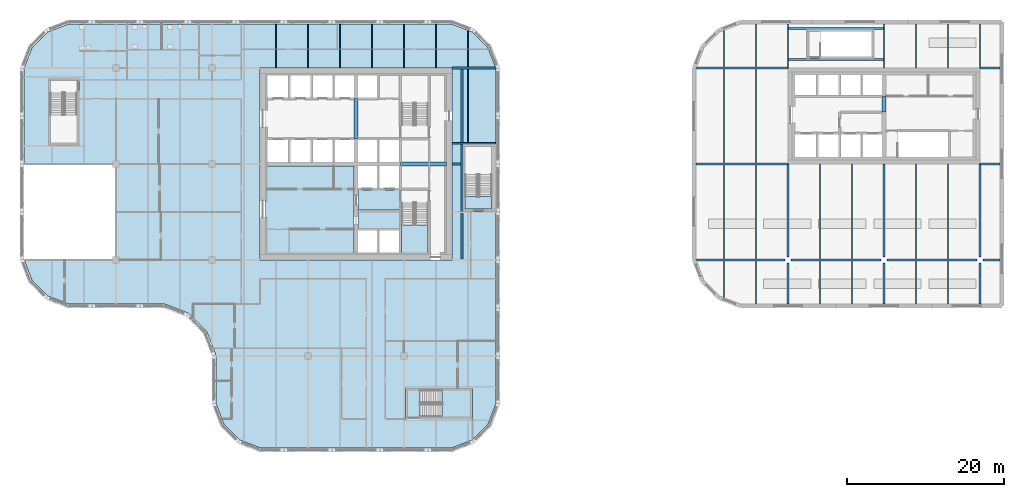
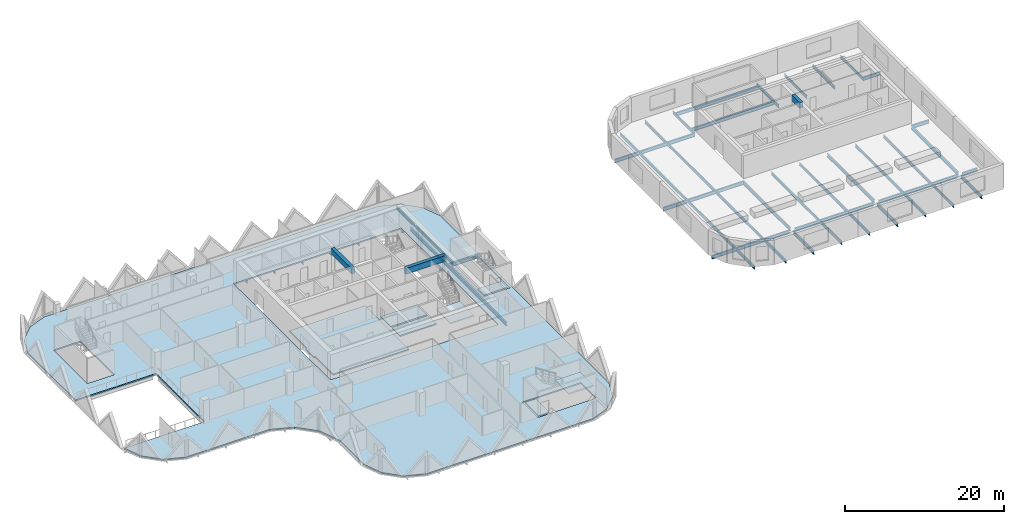
# One storey, part 2 of 17: 52 beams, 8 slabs, 2 elements without a shape of their own.
"""IFC4 building model written with IfcOpenShell, lengths in metres."""

import ifcopenshell
import ifcopenshell.guid

model = None  # the IFC model being written
_history = None  # IfcOwnerHistory: only IFC2X3 demands one
_inside = {}  # id of a spatial element -> (the spatial element, [elements in it])
_under = {}  # id of a project, library or spatial element -> (it, [spatial elements below it])
_declared = {}  # id of a project -> (the project, [libraries it declares])
_typed = {}  # id of a type object -> (the type object, [elements of that type])
_made_of = {}  # id of a material, layer set ... -> (it, [elements and type objects made of it])


def new_model(schema):
    """Start an empty IFC model of exactly this schema.

    Asked for "IFC4X3", IfcOpenShell would pick the latest addendum, in which some entities
    have other attributes; the version numbers below select the first issue.
    IFC2X3 requires an IfcOwnerHistory on every rooted entity: one is made here for all.
    """
    global model, _history
    if schema == "IFC4X3":
        model = ifcopenshell.file(schema_version=(4, 3, 0, 0))
    else:
        model = ifcopenshell.file(schema=schema)
    _inside.clear()
    _under.clear()
    _declared.clear()
    _typed.clear()
    _made_of.clear()
    _history = None
    if model.schema == "IFC2X3":
        org = make("IfcOrganization", Name="unknown")
        user = make(
            "IfcPersonAndOrganization",
            ThePerson=make("IfcPerson", FamilyName="unknown"),
            TheOrganization=org,
        )
        app = make(
            "IfcApplication",
            ApplicationDeveloper=org,
            Version="unknown",
            ApplicationFullName="unknown",
            ApplicationIdentifier="unknown",
        )
        _history = make(
            "IfcOwnerHistory",
            OwningUser=user,
            OwningApplication=app,
            ChangeAction="ADDED",
            CreationDate=0,
        )
    return model


def make(cls, **values):
    """One entity of the class cls with the attributes given. An attribute that is None is left unset."""
    return model.create_entity(
        cls, **{name: value for name, value in values.items() if value is not None}
    )


def rooted(cls, **values):
    """An entity with a GlobalId (a new one), such as an element, a storey or a relation."""
    return make(cls, GlobalId=ifcopenshell.guid.new(), OwnerHistory=_history, **values)


def si_unit(unit_type, name, prefix=None):
    """IfcSIUnit, for example si_unit("LENGTHUNIT", "METRE", prefix="MILLI")."""
    return make("IfcSIUnit", UnitType=unit_type, Prefix=prefix, Name=name)


def assignment(units):
    """IfcUnitAssignment: the units of a project."""
    return None if units is None else make("IfcUnitAssignment", Units=units)


def point(xyz):
    """IfcCartesianPoint."""
    return None if xyz is None else make("IfcCartesianPoint", Coordinates=xyz)


def direction(xyz):
    """IfcDirection."""
    return None if xyz is None else make("IfcDirection", DirectionRatios=xyz)


def frame(location, z_axis=None, x_axis=None):
    """IfcAxis2Placement3D, a coordinate frame: its origin and axes. An axis left out is left unset."""
    return make(
        "IfcAxis2Placement3D",
        Location=point(location),
        Axis=direction(z_axis),
        RefDirection=direction(x_axis),
    )


def frame_2d(location, x_axis=None):
    """IfcAxis2Placement2D, a coordinate frame in the plane: its origin and x axis."""
    return make(
        "IfcAxis2Placement2D", Location=point(location), RefDirection=direction(x_axis)
    )


def origin():
    """The frame at (0, 0, 0) with its axes left unset."""
    return frame((0.0, 0.0, 0.0))


def origin_2d():
    """The frame at (0, 0) in the plane with its x axis left unset."""
    return frame_2d((0.0, 0.0))


def place(relative_to, where):
    """IfcLocalPlacement: puts the frame where relative to a parent placement (None: the world)."""
    return make(
        "IfcLocalPlacement", PlacementRelTo=relative_to, RelativePlacement=where
    )


def context(
    kind, dimensions, precision=None, world=None, true_north=None, identifier=None
):
    """IfcGeometricRepresentationContext, for example the 3D "Model" context."""
    return make(
        "IfcGeometricRepresentationContext",
        ContextIdentifier=identifier,
        ContextType=kind,
        CoordinateSpaceDimension=dimensions,
        Precision=precision,
        WorldCoordinateSystem=world,
        TrueNorth=true_north,
    )


def subcontext(parent, identifier, kind, view, scale=None):
    """IfcGeometricRepresentationSubContext, for example "Body" below "Model"."""
    return make(
        "IfcGeometricRepresentationSubContext",
        ContextIdentifier=identifier,
        ContextType=kind,
        ParentContext=parent,
        TargetScale=scale,
        TargetView=view,
    )


def project(units=None, contexts=None):
    """IfcProject with its units and contexts."""
    return rooted(
        "IfcProject",
        Name="project",
        RepresentationContexts=contexts,
        UnitsInContext=assignment(units),
    )


def spatial(cls, under=None, at=None, **own):
    """A site, building, storey or space (cls), placed at a placement, below another one or the project."""
    s = rooted(cls, ObjectPlacement=at, **own)
    if under is not None:
        _under.setdefault(under.id(), (under, []))[1].append(s)
    return s


def polyline(points):
    """IfcPolyline through the points."""
    return make("IfcPolyline", Points=[point(p) for p in points])


def profile(cls, at=None, kind="AREA", **sizes):
    """A parametric profile (cls). Its sizes go by their IFC names, for example OverallWidth=200.0."""
    return make(cls, ProfileType=kind, Position=at, **sizes)


def rectangle(**sizes):
    """IfcRectangleProfileDef."""
    return profile("IfcRectangleProfileDef", **sizes)


def i_section(**sizes):
    """IfcIShapeProfileDef."""
    return profile("IfcIShapeProfileDef", **sizes)


def outline(outer, holes=None, kind="AREA"):
    """IfcArbitraryClosedProfileDef: a profile drawn as a closed curve; with holes, ...WithVoids."""
    if holes is None:
        return make("IfcArbitraryClosedProfileDef", ProfileType=kind, OuterCurve=outer)
    return make(
        "IfcArbitraryProfileDefWithVoids",
        ProfileType=kind,
        OuterCurve=outer,
        InnerCurves=holes,
    )


def extrude(swept, where, along, depth):
    """IfcExtrudedAreaSolid: the profile swept, set in the frame where, extruded along a direction by depth."""
    return make(
        "IfcExtrudedAreaSolid",
        SweptArea=swept,
        Position=where,
        ExtrudedDirection=direction(along),
        Depth=depth,
    )


def shape(context_of_items, identifier, shape_type, items):
    """IfcShapeRepresentation: the items that make up one representation, for example the "Body"."""
    return make(
        "IfcShapeRepresentation",
        ContextOfItems=context_of_items,
        RepresentationIdentifier=identifier,
        RepresentationType=shape_type,
        Items=items,
    )


def material(Name=None, Category=None):
    """IfcMaterial."""
    return make("IfcMaterial", Name=Name, Category=Category)


def layer(
    of_material, thickness, ventilated=None, Name=None, Category=None, Priority=None
):
    """IfcMaterialLayer: one layer of a wall or slab, of a material (None: an air gap)."""
    return make(
        "IfcMaterialLayer",
        Material=of_material,
        LayerThickness=thickness,
        IsVentilated=ventilated,
        Name=Name,
        Category=Category,
        Priority=Priority,
    )


def layer_set(layers, Name=None):
    """IfcMaterialLayerSet."""
    return make("IfcMaterialLayerSet", MaterialLayers=layers, LayerSetName=Name)


def material_profile(
    of_material, cross_section, Name=None, Category=None, Priority=None
):
    """IfcMaterialProfile: a cross section and its material."""
    return make(
        "IfcMaterialProfile",
        Name=Name,
        Material=of_material,
        Profile=cross_section,
        Priority=Priority,
        Category=Category,
    )


def profile_set(profiles, Name=None, composite=None):
    """IfcMaterialProfileSet."""
    return make(
        "IfcMaterialProfileSet",
        Name=Name,
        MaterialProfiles=profiles,
        CompositeProfile=composite,
    )


def made_of(thing, what):
    """Note that an element or type object is made of a material, layer set ...; save() writes the relation."""
    if what is not None:
        _made_of.setdefault(what.id(), (what, []))[1].append(thing)
    return thing


def type_object(cls, material=None, **own):
    """A type object (cls), such as IfcWallType, which elements share."""
    return made_of(rooted(cls, **own), material)


def element(
    cls,
    number,
    at=None,
    inside=None,
    cuts=None,
    type_object=None,
    material=None,
    context=None,
    identifier="Body",
    shape_type=None,
    held_by="IfcProductDefinitionShape",
    body=None,
    shapes=None,
    **own,
):
    """One element of the class cls, such as IfcWall. Its Tag is "e" and its number.

    at: its placement. inside: the storey or other place that contains it. cuts: it is an
    opening in that element (IfcRelVoidsElement). A single representation is given by context,
    identifier, shape_type and body (its items); several are given by shapes. held_by: the class
    of the entity that holds the representations. save() writes the other relations.
    """
    e = rooted(cls, Tag="e%d" % number, ObjectPlacement=at, **own)
    if body is not None:
        shapes = [shape(context, identifier, shape_type, body)]
    if shapes is not None:
        e.Representation = make(held_by, Representations=shapes)
    if inside is not None:
        _inside.setdefault(inside.id(), (inside, []))[1].append(e)
    if cuts is not None:
        rooted(
            "IfcRelVoidsElement", RelatingBuildingElement=cuts, RelatedOpeningElement=e
        )
    if type_object is not None:
        _typed.setdefault(type_object.id(), (type_object, []))[1].append(e)
    return made_of(e, material)


def aggregate(whole, parts):
    """IfcRelAggregates: a whole, such as a stair, and the parts it consists of."""
    return rooted("IfcRelAggregates", RelatingObject=whole, RelatedObjects=parts)


def save(model, path):
    """Write the relations noted so far, then the file.

    IfcRelAggregates (storeys below a building ...), IfcRelContainedInSpatialStructure (elements
    in a storey), IfcRelDefinesByType, IfcRelAssociatesMaterial and IfcRelDeclares: one each for
    every whole, place, type object, material and project.
    """
    for whole, parts in _under.values():
        aggregate(whole, parts)
    for where, things in _inside.values():
        rooted(
            "IfcRelContainedInSpatialStructure",
            RelatedElements=things,
            RelatingStructure=where,
        )
    for kind, things in _typed.values():
        rooted("IfcRelDefinesByType", RelatedObjects=things, RelatingType=kind)
    for what, things in _made_of.values():
        rooted("IfcRelAssociatesMaterial", RelatedObjects=things, RelatingMaterial=what)
    for by, libraries in _declared.values():
        rooted("IfcRelDeclares", RelatingContext=by, RelatedDefinitions=libraries)
    model.write(path)


model = new_model("IFC4")

# Units and contexts
model_context = context("Model", 3, precision=1e-05, world=origin(), true_north=direction((0.0, 1.0)))
body_context = subcontext(model_context, "Body", "Model", "MODEL_VIEW")
ifc_project = project(units=[si_unit("LENGTHUNIT", "METRE"), si_unit("AREAUNIT", "SQUARE_METRE"), si_unit("VOLUMEUNIT", "CUBIC_METRE"), si_unit("PLANEANGLEUNIT", "RADIAN"), si_unit("MASSUNIT", "GRAM", prefix="KILO")], contexts=[model_context])

# Site, building, storey
site_placement = place(None, origin())
site = spatial("IfcSite", under=ifc_project, at=site_placement, CompositionType="ELEMENT")
building_placement = place(site_placement, origin())
building = spatial("IfcBuilding", under=site, at=building_placement, Name="Tessera Gate Towers", CompositionType="ELEMENT")
storey_placement = place(building_placement, frame((0.0, 0.0, 112.60009765625)))
storey = spatial("IfcBuildingStorey", under=building, at=storey_placement, Name="L27", CompositionType="ELEMENT", Elevation=112.60009765625)

# Beams
ifc_material_1 = material(Name="Concrete C50/60", Category="concrete")
ifc_material_profile_1 = material_profile(ifc_material_1, rectangle(XDim=0.5, YDim=0.89990234375, at=origin_2d()), Name="RC 500x900")
ifc_profile_set_1 = profile_set([ifc_material_profile_1], Name="Concrete C50/60")
beam_type_1 = type_object("IfcBeamType", Name="COUPLING BEAM 500x900 C50/60", PredefinedType="BEAM", material=ifc_profile_set_1)
beam_1_placement = place(storey_placement, frame((109.800048828125, 43.199951171875, 3.0498046875), z_axis=(0.0, 1.0, 0.0), x_axis=(-1.0, 0.0, 0.0)))
element("IfcBeam", 1, at=beam_1_placement, inside=storey, type_object=beam_type_1, Name="L27 coupling beam 1", PredefinedType="BEAM", context=body_context, shape_type="SweptSolid", body=[
    extrude(rectangle(XDim=0.5, YDim=0.89990234375, at=origin_2d()), origin(), (0.0, 0.0, 1.0), 2.0),
])
ifc_material_2 = material(Name="Concrete C60/75", Category="concrete")
ifc_material_profile_2 = material_profile(ifc_material_2, rectangle(XDim=0.5, YDim=0.89990234375, at=origin_2d()), Name="RC 500x900")
ifc_profile_set_2 = profile_set([ifc_material_profile_2], Name="Concrete C60/75")
beam_type_2 = type_object("IfcBeamType", Name="COUPLING BEAM 500x900 C60/75", PredefinedType="BEAM", material=ifc_profile_set_2)
beam_2_placement = place(storey_placement, frame((48.35009765625, 36.60009765625, 3.14990234375), z_axis=(1.0, 0.0, 0.0), x_axis=(0.0, 1.0, 0.0)))
element("IfcBeam", 2, at=beam_2_placement, inside=storey, type_object=beam_type_2, Name="L27 coupling beam 1", PredefinedType="BEAM", context=body_context, shape_type="SweptSolid", body=[
    extrude(rectangle(XDim=0.5, YDim=0.89990234375, at=origin_2d()), origin(), (0.0, 0.0, 1.0), 5.849853515625),
])
beam_3_placement = place(storey_placement, frame((42.699951171875, 39.800048828125, 3.14990234375), z_axis=(0.0, 1.0, 0.0), x_axis=(-1.0, 0.0, 0.0)))
element("IfcBeam", 3, at=beam_3_placement, inside=storey, type_object=beam_type_2, Name="L27 coupling beam 2", PredefinedType="BEAM", context=body_context, shape_type="SweptSolid", body=[
    extrude(rectangle(XDim=0.5, YDim=0.89990234375, at=origin_2d()), origin(), (0.0, 0.0, 1.0), 5.099853515625),
])
ifc_material_3 = material(Name="Steel 350W", Category="steel")
ifc_material_profile_3 = material_profile(ifc_material_3, i_section(OverallWidth=0.208984375, OverallDepth=0.532958984375, WebThickness=0.01025390625, FlangeThickness=0.015625, at=origin_2d()), Name="W530x92")
ifc_profile_set_3 = profile_set([ifc_material_profile_3], Name="Steel 350W")
beam_type_3 = type_object("IfcBeamType", Name="FLOOR GIRDER W530x92", PredefinedType="BEAM", material=ifc_profile_set_3)
beam_4_placement = place(storey_placement, frame((54.89892578125, 36.60009765625, -0.466552734375), z_axis=(1.0, 0.0, 0.0), x_axis=(0.0, 1.0, 0.0)))
element("IfcBeam", 4, at=beam_4_placement, inside=storey, type_object=beam_type_3, Name="T1-GD-L27-3529", PredefinedType="BEAM", context=body_context, shape_type="SweptSolid", body=[
    extrude(i_section(OverallWidth=0.208984375, OverallDepth=0.532958984375, WebThickness=0.01025390625, FlangeThickness=0.015625, at=origin_2d()), origin(), (0.0, 0.0, 1.0), 1.176513671875),
])
beam_5_placement = place(storey_placement, frame((54.90087890625, 48.800048828125, -0.466552734375), z_axis=(1.0, 0.0, 0.0), x_axis=(0.0, 1.0, 0.0)))
element("IfcBeam", 5, at=beam_5_placement, inside=storey, type_object=beam_type_3, Name="T1-GD-L27-3533", PredefinedType="BEAM", context=body_context, shape_type="SweptSolid", body=[
    extrude(i_section(OverallWidth=0.208984375, OverallDepth=0.532958984375, WebThickness=0.01025390625, FlangeThickness=0.015625, at=origin_2d()), origin(), (0.0, 0.0, 1.0), 5.564208984375),
])
beam_6_placement = place(storey_placement, frame((54.89892578125, 39.219970703125, -0.466552734375), z_axis=(1.0, 0.0, 0.0), x_axis=(0.0, 1.0, 0.0)))
element("IfcBeam", 6, at=beam_6_placement, inside=storey, type_object=beam_type_3, Name="T1-GD-L27-3551", PredefinedType="BEAM", context=body_context, shape_type="SweptSolid", body=[
    extrude(i_section(OverallWidth=0.208984375, OverallDepth=0.532958984375, WebThickness=0.01025390625, FlangeThickness=0.015625, at=origin_2d()), origin(), (0.0, 0.0, 1.0), 5.60205078125),
])
beam_7_placement = place(storey_placement, frame((56.179931640625, 24.50439453125, -0.466552734375), z_axis=(0.0, 1.0, 0.0), x_axis=(-1.0, 0.0, 0.0)))
element("IfcBeam", 7, at=beam_7_placement, inside=storey, type_object=beam_type_3, Name="T1-GD-L27-3552", PredefinedType="BEAM", context=body_context, shape_type="SweptSolid", body=[
    extrude(i_section(OverallWidth=0.208984375, OverallDepth=0.532958984375, WebThickness=0.01025390625, FlangeThickness=0.015625, at=origin_2d()), origin(), (0.0, 0.0, 1.0), 24.191162109375),
])
beam_8_placement = place(storey_placement, frame((85.934814453125, 24.39990234375, -0.566650390625), z_axis=(1.0, 0.0, 0.0), x_axis=(0.0, 1.0, 0.0)))
element("IfcBeam", 8, at=beam_8_placement, inside=storey, type_object=beam_type_3, Name="T2-R-GD-L27-3593", PredefinedType="BEAM", context=body_context, shape_type="SweptSolid", body=[
    extrude(i_section(OverallWidth=0.208984375, OverallDepth=0.532958984375, WebThickness=0.01025390625, FlangeThickness=0.015625, at=origin_2d()), origin(), (0.0, 0.0, 1.0), 11.315185546875),
])
for number, where, z_axis, x_axis, name in (
    (9, (97.949951171875, 24.39990234375, -0.566650390625), (1.0, 0.0, 0.0), (0.0, 1.0, 0.0), "T2-R-GD-L27-3594"),
    (10, (110.14990234375, 24.39990234375, -0.566650390625), (1.0, 0.0, 0.0), (0.0, 1.0, 0.0), "T2-R-GD-L27-3595"),
):
    element("IfcBeam", number, at=place(storey_placement, frame(where, z_axis=z_axis, x_axis=x_axis)), inside=storey, type_object=beam_type_3, Name=name, PredefinedType="BEAM", context=body_context, shape_type="SweptSolid", body=[
        extrude(i_section(OverallWidth=0.208984375, OverallDepth=0.532958984375, WebThickness=0.01025390625, FlangeThickness=0.015625, at=origin_2d()), origin(), (0.0, 0.0, 1.0), 11.5),
    ])
beam_9_placement = place(storey_placement, frame((122.35009765625, 24.39990234375, -0.566650390625), z_axis=(1.0, 0.0, 0.0), x_axis=(0.0, 1.0, 0.0)))
element("IfcBeam", 11, at=beam_9_placement, inside=storey, type_object=beam_type_3, Name="T2-R-GD-L27-3596", PredefinedType="BEAM", context=body_context, shape_type="SweptSolid", body=[
    extrude(i_section(OverallWidth=0.208984375, OverallDepth=0.532958984375, WebThickness=0.01025390625, FlangeThickness=0.015625, at=origin_2d()), origin(), (0.0, 0.0, 1.0), 2.200927734375),
])
beam_10_placement = place(storey_placement, frame((85.89892578125, 36.60009765625, -0.566650390625), z_axis=(1.0, 0.0, 0.0), x_axis=(0.0, 1.0, 0.0)))
element("IfcBeam", 12, at=beam_10_placement, inside=storey, type_object=beam_type_3, Name="T2-R-GD-L27-3597", PredefinedType="BEAM", context=body_context, shape_type="SweptSolid", body=[
    extrude(i_section(OverallWidth=0.208984375, OverallDepth=0.532958984375, WebThickness=0.01025390625, FlangeThickness=0.015625, at=origin_2d()), origin(), (0.0, 0.0, 1.0), 11.7001953125),
])
beam_11_placement = place(storey_placement, frame((122.0009765625, 36.60009765625, -0.566650390625), z_axis=(1.0, 0.0, 0.0), x_axis=(0.0, 1.0, 0.0)))
element("IfcBeam", 13, at=beam_11_placement, inside=storey, type_object=beam_type_3, Name="T2-R-GD-L27-3598", PredefinedType="BEAM", context=body_context, shape_type="SweptSolid", body=[
    extrude(i_section(OverallWidth=0.208984375, OverallDepth=0.532958984375, WebThickness=0.01025390625, FlangeThickness=0.015625, at=origin_2d()), origin(), (0.0, 0.0, 1.0), 2.550048828125),
])
beam_12_placement = place(storey_placement, frame((85.934814453125, 48.800048828125, -0.566650390625), z_axis=(1.0, 0.0, 0.0), x_axis=(0.0, 1.0, 0.0)))
element("IfcBeam", 14, at=beam_12_placement, inside=storey, type_object=beam_type_3, Name="T2-R-GD-L27-3599", PredefinedType="BEAM", context=body_context, shape_type="SweptSolid", body=[
    extrude(i_section(OverallWidth=0.208984375, OverallDepth=0.532958984375, WebThickness=0.01025390625, FlangeThickness=0.015625, at=origin_2d()), origin(), (0.0, 0.0, 1.0), 11.664306640625),
])
beam_13_placement = place(storey_placement, frame((122.0009765625, 48.800048828125, -0.566650390625), z_axis=(1.0, 0.0, 0.0), x_axis=(0.0, 1.0, 0.0)))
element("IfcBeam", 15, at=beam_13_placement, inside=storey, type_object=beam_type_3, Name="T2-R-GD-L27-3600", PredefinedType="BEAM", context=body_context, shape_type="SweptSolid", body=[
    extrude(i_section(OverallWidth=0.208984375, OverallDepth=0.532958984375, WebThickness=0.01025390625, FlangeThickness=0.015625, at=origin_2d()), origin(), (0.0, 0.0, 1.0), 2.550048828125),
])
beam_14_placement = place(storey_placement, frame((97.60009765625, 18.799072265625, -0.566650390625), z_axis=(0.0, 1.0, 0.0), x_axis=(-1.0, 0.0, 0.0)))
element("IfcBeam", 16, at=beam_14_placement, inside=storey, type_object=beam_type_3, Name="T2-R-GD-L27-3601", PredefinedType="BEAM", context=body_context, shape_type="SweptSolid", body=[
    extrude(i_section(OverallWidth=0.208984375, OverallDepth=0.532958984375, WebThickness=0.01025390625, FlangeThickness=0.015625, at=origin_2d()), origin(), (0.0, 0.0, 1.0), 5.2509765625),
])
beam_15_placement = place(storey_placement, frame((97.60009765625, 24.75, -0.566650390625), z_axis=(0.0, 1.0, 0.0), x_axis=(-1.0, 0.0, 0.0)))
element("IfcBeam", 17, at=beam_15_placement, inside=storey, type_object=beam_type_3, Name="T2-R-GD-L27-3602", PredefinedType="BEAM", context=body_context, shape_type="SweptSolid", body=[
    extrude(i_section(OverallWidth=0.208984375, OverallDepth=0.532958984375, WebThickness=0.01025390625, FlangeThickness=0.015625, at=origin_2d()), origin(), (0.0, 0.0, 1.0), 11.85009765625),
])
beam_16_placement = place(storey_placement, frame((109.800048828125, 18.799072265625, -0.566650390625), z_axis=(0.0, 1.0, 0.0), x_axis=(-1.0, 0.0, 0.0)))
element("IfcBeam", 18, at=beam_16_placement, inside=storey, type_object=beam_type_3, Name="T2-R-GD-L27-3603", PredefinedType="BEAM", context=body_context, shape_type="SweptSolid", body=[
    extrude(i_section(OverallWidth=0.208984375, OverallDepth=0.532958984375, WebThickness=0.01025390625, FlangeThickness=0.015625, at=origin_2d()), origin(), (0.0, 0.0, 1.0), 5.2509765625),
])
beam_17_placement = place(storey_placement, frame((109.800048828125, 24.75, -0.566650390625), z_axis=(0.0, 1.0, 0.0), x_axis=(-1.0, 0.0, 0.0)))
element("IfcBeam", 19, at=beam_17_placement, inside=storey, type_object=beam_type_3, Name="T2-R-GD-L27-3604", PredefinedType="BEAM", context=body_context, shape_type="SweptSolid", body=[
    extrude(i_section(OverallWidth=0.208984375, OverallDepth=0.532958984375, WebThickness=0.01025390625, FlangeThickness=0.015625, at=origin_2d()), origin(), (0.0, 0.0, 1.0), 11.85009765625),
])
beam_18_placement = place(storey_placement, frame((122.0, 18.799072265625, -0.566650390625), z_axis=(0.0, 1.0, 0.0), x_axis=(-1.0, 0.0, 0.0)))
element("IfcBeam", 20, at=beam_18_placement, inside=storey, type_object=beam_type_3, Name="T2-R-GD-L27-3605", PredefinedType="BEAM", context=body_context, shape_type="SweptSolid", body=[
    extrude(i_section(OverallWidth=0.208984375, OverallDepth=0.532958984375, WebThickness=0.01025390625, FlangeThickness=0.015625, at=origin_2d()), origin(), (0.0, 0.0, 1.0), 5.2509765625),
])
beam_19_placement = place(storey_placement, frame((122.0, 24.75, -0.566650390625), z_axis=(0.0, 1.0, 0.0), x_axis=(-1.0, 0.0, 0.0)))
element("IfcBeam", 21, at=beam_19_placement, inside=storey, type_object=beam_type_3, Name="T2-R-GD-L27-3606", PredefinedType="BEAM", context=body_context, shape_type="SweptSolid", body=[
    extrude(i_section(OverallWidth=0.208984375, OverallDepth=0.532958984375, WebThickness=0.01025390625, FlangeThickness=0.015625, at=origin_2d()), origin(), (0.0, 0.0, 1.0), 11.85009765625),
])
for number, where, z_axis, x_axis, name in (
    (22, (97.676513671875, 49.8798828125, -0.566650390625), (1.0, 0.0, 0.0), (0.0, 1.0, 0.0), "T2-R-GD-L27-3607"),
    (23, (97.676513671875, 53.820068359375, -0.566650390625), (1.0, 0.0, 0.0), (0.0, 1.0, 0.0), "T2-R-GD-L27-3608"),
):
    element("IfcBeam", number, at=place(storey_placement, frame(where, z_axis=z_axis, x_axis=x_axis)), inside=storey, type_object=beam_type_3, Name=name, PredefinedType="BEAM", context=body_context, shape_type="SweptSolid", body=[
        extrude(i_section(OverallWidth=0.208984375, OverallDepth=0.532958984375, WebThickness=0.01025390625, FlangeThickness=0.015625, at=origin_2d()), origin(), (0.0, 0.0, 1.0), 12.046875),
    ])
ifc_material_4 = material(Name="Steel 350W", Category="steel")
ifc_material_profile_4 = material_profile(ifc_material_4, i_section(OverallWidth=0.153076171875, OverallDepth=0.455078125, WebThickness=0.008056640625, FlangeThickness=0.01318359375, at=origin_2d()), Name="W460x60")
ifc_profile_set_4 = profile_set([ifc_material_profile_4], Name="Steel 350W")
beam_type_4 = type_object("IfcBeamType", Name="FLOOR SECONDARY W460x60", PredefinedType="BEAM", material=ifc_profile_set_4)
for number, where, z_axis, x_axis, name in (
    (24, (32.533203125, 48.800048828125, -0.427490234375), (0.0, 1.0, 0.0), (-1.0, 0.0, 0.0), "T1-BM-L27-3574"),
    (25, (36.60009765625, 48.800048828125, -0.427490234375), (0.0, 1.0, 0.0), (-1.0, 0.0, 0.0), "T1-BM-L27-3575"),
    (26, (40.666748046875, 48.800048828125, -0.427490234375), (0.0, 1.0, 0.0), (-1.0, 0.0, 0.0), "T1-BM-L27-3578"),
    (27, (44.7333984375, 48.800048828125, -0.427490234375), (0.0, 1.0, 0.0), (-1.0, 0.0, 0.0), "T1-BM-L27-3581"),
    (28, (48.800048828125, 48.800048828125, -0.427490234375), (0.0, 1.0, 0.0), (-1.0, 0.0, 0.0), "T1-BM-L27-3582"),
    (29, (52.86669921875, 48.800048828125, -0.427490234375), (0.0, 1.0, 0.0), (-1.0, 0.0, 0.0), "T1-BM-L27-3586"),
):
    element("IfcBeam", number, at=place(storey_placement, frame(where, z_axis=z_axis, x_axis=x_axis)), inside=storey, type_object=beam_type_4, Name=name, PredefinedType="BEAM", context=body_context, shape_type="SweptSolid", body=[
        extrude(i_section(OverallWidth=0.153076171875, OverallDepth=0.455078125, WebThickness=0.008056640625, FlangeThickness=0.01318359375, at=origin_2d()), origin(), (0.0, 0.0, 1.0), 5.599853515625),
    ])
beam_20_placement = place(storey_placement, frame((56.933349609375, 39.324462890625, -0.427490234375), z_axis=(0.0, 1.0, 0.0), x_axis=(-1.0, 0.0, 0.0)))
element("IfcBeam", 30, at=beam_20_placement, inside=storey, type_object=beam_type_4, Name="T1-BM-L27-3591", PredefinedType="BEAM", context=body_context, shape_type="SweptSolid", body=[
    extrude(i_section(OverallWidth=0.153076171875, OverallDepth=0.455078125, WebThickness=0.008056640625, FlangeThickness=0.01318359375, at=origin_2d()), origin(), (0.0, 0.0, 1.0), 9.37109375),
])
for number, where, z_axis, x_axis, name in (
    (31, (56.933349609375, 48.904541015625, -0.427490234375), (0.0, 1.0, 0.0), (-1.0, 0.0, 0.0), "T1-BM-L27-3592"),
    (32, (89.466796875, 19.620361328125, -0.527587890625), (0.0, 1.0, 0.0), (-1.0, 0.0, 0.0), "T2-R-BM-L27-3609"),
):
    element("IfcBeam", number, at=place(storey_placement, frame(where, z_axis=z_axis, x_axis=x_axis)), inside=storey, type_object=beam_type_4, Name=name, PredefinedType="BEAM", context=body_context, shape_type="SweptSolid", body=[
        extrude(i_section(OverallWidth=0.153076171875, OverallDepth=0.455078125, WebThickness=0.008056640625, FlangeThickness=0.01318359375, at=origin_2d()), origin(), (0.0, 0.0, 1.0), 4.675048828125),
    ])
beam_21_placement = place(storey_placement, frame((89.466796875, 24.50439453125, -0.527587890625), z_axis=(0.0, 1.0, 0.0), x_axis=(-1.0, 0.0, 0.0)))
element("IfcBeam", 33, at=beam_21_placement, inside=storey, type_object=beam_type_4, Name="T2-R-BM-L27-3610", PredefinedType="BEAM", context=body_context, shape_type="SweptSolid", body=[
    extrude(i_section(OverallWidth=0.153076171875, OverallDepth=0.455078125, WebThickness=0.008056640625, FlangeThickness=0.01318359375, at=origin_2d()), origin(), (0.0, 0.0, 1.0), 11.9912109375),
])
beam_22_placement = place(storey_placement, frame((89.466796875, 36.70458984375, -0.527587890625), z_axis=(0.0, 1.0, 0.0), x_axis=(-1.0, 0.0, 0.0)))
element("IfcBeam", 34, at=beam_22_placement, inside=storey, type_object=beam_type_4, Name="T2-R-BM-L27-3611", PredefinedType="BEAM", context=body_context, shape_type="SweptSolid", body=[
    extrude(i_section(OverallWidth=0.153076171875, OverallDepth=0.455078125, WebThickness=0.008056640625, FlangeThickness=0.01318359375, at=origin_2d()), origin(), (0.0, 0.0, 1.0), 11.990966796875),
])
beam_23_placement = place(storey_placement, frame((89.466796875, 48.904541015625, -0.527587890625), z_axis=(0.0, 1.0, 0.0), x_axis=(-1.0, 0.0, 0.0)))
element("IfcBeam", 35, at=beam_23_placement, inside=storey, type_object=beam_type_4, Name="T2-R-BM-L27-3612", PredefinedType="BEAM", context=body_context, shape_type="SweptSolid", body=[
    extrude(i_section(OverallWidth=0.153076171875, OverallDepth=0.455078125, WebThickness=0.008056640625, FlangeThickness=0.01318359375, at=origin_2d()), origin(), (0.0, 0.0, 1.0), 4.675048828125),
])
beam_24_placement = place(storey_placement, frame((93.533203125, 18.800048828125, -0.527587890625), z_axis=(0.0, 1.0, 0.0), x_axis=(-1.0, 0.0, 0.0)))
element("IfcBeam", 36, at=beam_24_placement, inside=storey, type_object=beam_type_4, Name="T2-R-BM-L27-3613", PredefinedType="BEAM", context=body_context, shape_type="SweptSolid", body=[
    extrude(i_section(OverallWidth=0.153076171875, OverallDepth=0.455078125, WebThickness=0.008056640625, FlangeThickness=0.01318359375, at=origin_2d()), origin(), (0.0, 0.0, 1.0), 5.495361328125),
])
beam_25_placement = place(storey_placement, frame((93.533203125, 24.50439453125, -0.527587890625), z_axis=(0.0, 1.0, 0.0), x_axis=(-1.0, 0.0, 0.0)))
element("IfcBeam", 37, at=beam_25_placement, inside=storey, type_object=beam_type_4, Name="T2-R-BM-L27-3614", PredefinedType="BEAM", context=body_context, shape_type="SweptSolid", body=[
    extrude(i_section(OverallWidth=0.153076171875, OverallDepth=0.455078125, WebThickness=0.008056640625, FlangeThickness=0.01318359375, at=origin_2d()), origin(), (0.0, 0.0, 1.0), 11.9912109375),
])
beam_26_placement = place(storey_placement, frame((93.533203125, 36.70458984375, -0.527587890625), z_axis=(0.0, 1.0, 0.0), x_axis=(-1.0, 0.0, 0.0)))
element("IfcBeam", 38, at=beam_26_placement, inside=storey, type_object=beam_type_4, Name="T2-R-BM-L27-3615", PredefinedType="BEAM", context=body_context, shape_type="SweptSolid", body=[
    extrude(i_section(OverallWidth=0.153076171875, OverallDepth=0.455078125, WebThickness=0.008056640625, FlangeThickness=0.01318359375, at=origin_2d()), origin(), (0.0, 0.0, 1.0), 11.990966796875),
])
beam_27_placement = place(storey_placement, frame((93.533203125, 48.904541015625, -0.527587890625), z_axis=(0.0, 1.0, 0.0), x_axis=(-1.0, 0.0, 0.0)))
element("IfcBeam", 39, at=beam_27_placement, inside=storey, type_object=beam_type_4, Name="T2-R-BM-L27-3616", PredefinedType="BEAM", context=body_context, shape_type="SweptSolid", body=[
    extrude(i_section(OverallWidth=0.153076171875, OverallDepth=0.455078125, WebThickness=0.008056640625, FlangeThickness=0.01318359375, at=origin_2d()), origin(), (0.0, 0.0, 1.0), 5.495361328125),
])
beam_28_placement = place(storey_placement, frame((97.60009765625, 48.800048828125, -0.527587890625), z_axis=(0.0, 1.0, 0.0), x_axis=(-1.0, 0.0, 0.0)))
element("IfcBeam", 40, at=beam_28_placement, inside=storey, type_object=beam_type_4, Name="T2-R-BM-L27-3617", PredefinedType="BEAM", context=body_context, shape_type="SweptSolid", body=[
    extrude(i_section(OverallWidth=0.153076171875, OverallDepth=0.455078125, WebThickness=0.008056640625, FlangeThickness=0.01318359375, at=origin_2d()), origin(), (0.0, 0.0, 1.0), 5.599853515625),
])
beam_29_placement = place(storey_placement, frame((101.666748046875, 18.800048828125, -0.527587890625), z_axis=(0.0, 1.0, 0.0), x_axis=(-1.0, 0.0, 0.0)))
element("IfcBeam", 41, at=beam_29_placement, inside=storey, type_object=beam_type_4, Name="T2-R-BM-L27-3618", PredefinedType="BEAM", context=body_context, shape_type="SweptSolid", body=[
    extrude(i_section(OverallWidth=0.153076171875, OverallDepth=0.455078125, WebThickness=0.008056640625, FlangeThickness=0.01318359375, at=origin_2d()), origin(), (0.0, 0.0, 1.0), 5.495361328125),
])
beam_30_placement = place(storey_placement, frame((101.666748046875, 24.50439453125, -0.527587890625), z_axis=(0.0, 1.0, 0.0), x_axis=(-1.0, 0.0, 0.0)))
element("IfcBeam", 42, at=beam_30_placement, inside=storey, type_object=beam_type_4, Name="T2-R-BM-L27-3619", PredefinedType="BEAM", context=body_context, shape_type="SweptSolid", body=[
    extrude(i_section(OverallWidth=0.153076171875, OverallDepth=0.455078125, WebThickness=0.008056640625, FlangeThickness=0.01318359375, at=origin_2d()), origin(), (0.0, 0.0, 1.0), 12.095703125),
])
beam_31_placement = place(storey_placement, frame((105.7333984375, 18.800048828125, -0.527587890625), z_axis=(0.0, 1.0, 0.0), x_axis=(-1.0, 0.0, 0.0)))
element("IfcBeam", 43, at=beam_31_placement, inside=storey, type_object=beam_type_4, Name="T2-R-BM-L27-3620", PredefinedType="BEAM", context=body_context, shape_type="SweptSolid", body=[
    extrude(i_section(OverallWidth=0.153076171875, OverallDepth=0.455078125, WebThickness=0.008056640625, FlangeThickness=0.01318359375, at=origin_2d()), origin(), (0.0, 0.0, 1.0), 5.495361328125),
])
beam_32_placement = place(storey_placement, frame((105.7333984375, 24.50439453125, -0.527587890625), z_axis=(0.0, 1.0, 0.0), x_axis=(-1.0, 0.0, 0.0)))
element("IfcBeam", 44, at=beam_32_placement, inside=storey, type_object=beam_type_4, Name="T2-R-BM-L27-3621", PredefinedType="BEAM", context=body_context, shape_type="SweptSolid", body=[
    extrude(i_section(OverallWidth=0.153076171875, OverallDepth=0.455078125, WebThickness=0.008056640625, FlangeThickness=0.01318359375, at=origin_2d()), origin(), (0.0, 0.0, 1.0), 12.095703125),
])
beam_33_placement = place(storey_placement, frame((109.800048828125, 48.800048828125, -0.527587890625), z_axis=(0.0, 1.0, 0.0), x_axis=(-1.0, 0.0, 0.0)))
element("IfcBeam", 45, at=beam_33_placement, inside=storey, type_object=beam_type_4, Name="T2-R-BM-L27-3622", PredefinedType="BEAM", context=body_context, shape_type="SweptSolid", body=[
    extrude(i_section(OverallWidth=0.153076171875, OverallDepth=0.455078125, WebThickness=0.008056640625, FlangeThickness=0.01318359375, at=origin_2d()), origin(), (0.0, 0.0, 1.0), 5.599853515625),
])
beam_34_placement = place(storey_placement, frame((113.86669921875, 18.800048828125, -0.527587890625), z_axis=(0.0, 1.0, 0.0), x_axis=(-1.0, 0.0, 0.0)))
element("IfcBeam", 46, at=beam_34_placement, inside=storey, type_object=beam_type_4, Name="T2-R-BM-L27-3623", PredefinedType="BEAM", context=body_context, shape_type="SweptSolid", body=[
    extrude(i_section(OverallWidth=0.153076171875, OverallDepth=0.455078125, WebThickness=0.008056640625, FlangeThickness=0.01318359375, at=origin_2d()), origin(), (0.0, 0.0, 1.0), 5.495361328125),
])
beam_35_placement = place(storey_placement, frame((113.86669921875, 24.50439453125, -0.527587890625), z_axis=(0.0, 1.0, 0.0), x_axis=(-1.0, 0.0, 0.0)))
element("IfcBeam", 47, at=beam_35_placement, inside=storey, type_object=beam_type_4, Name="T2-R-BM-L27-3624", PredefinedType="BEAM", context=body_context, shape_type="SweptSolid", body=[
    extrude(i_section(OverallWidth=0.153076171875, OverallDepth=0.455078125, WebThickness=0.008056640625, FlangeThickness=0.01318359375, at=origin_2d()), origin(), (0.0, 0.0, 1.0), 12.095703125),
])
beam_36_placement = place(storey_placement, frame((113.86669921875, 48.800048828125, -0.527587890625), z_axis=(0.0, 1.0, 0.0), x_axis=(-1.0, 0.0, 0.0)))
element("IfcBeam", 48, at=beam_36_placement, inside=storey, type_object=beam_type_4, Name="T2-R-BM-L27-3625", PredefinedType="BEAM", context=body_context, shape_type="SweptSolid", body=[
    extrude(i_section(OverallWidth=0.153076171875, OverallDepth=0.455078125, WebThickness=0.008056640625, FlangeThickness=0.01318359375, at=origin_2d()), origin(), (0.0, 0.0, 1.0), 5.599853515625),
])
beam_37_placement = place(storey_placement, frame((117.933349609375, 18.800048828125, -0.527587890625), z_axis=(0.0, 1.0, 0.0), x_axis=(-1.0, 0.0, 0.0)))
element("IfcBeam", 49, at=beam_37_placement, inside=storey, type_object=beam_type_4, Name="T2-R-BM-L27-3626", PredefinedType="BEAM", context=body_context, shape_type="SweptSolid", body=[
    extrude(i_section(OverallWidth=0.153076171875, OverallDepth=0.455078125, WebThickness=0.008056640625, FlangeThickness=0.01318359375, at=origin_2d()), origin(), (0.0, 0.0, 1.0), 5.495361328125),
])
beam_38_placement = place(storey_placement, frame((117.933349609375, 24.50439453125, -0.527587890625), z_axis=(0.0, 1.0, 0.0), x_axis=(-1.0, 0.0, 0.0)))
element("IfcBeam", 50, at=beam_38_placement, inside=storey, type_object=beam_type_4, Name="T2-R-BM-L27-3627", PredefinedType="BEAM", context=body_context, shape_type="SweptSolid", body=[
    extrude(i_section(OverallWidth=0.153076171875, OverallDepth=0.455078125, WebThickness=0.008056640625, FlangeThickness=0.01318359375, at=origin_2d()), origin(), (0.0, 0.0, 1.0), 12.095703125),
])
for number, where, z_axis, x_axis, name in (
    (51, (117.933349609375, 48.800048828125, -0.527587890625), (0.0, 1.0, 0.0), (-1.0, 0.0, 0.0), "T2-R-BM-L27-3628"),
    (52, (122.0, 48.800048828125, -0.527587890625), (0.0, 1.0, 0.0), (-1.0, 0.0, 0.0), "T2-R-BM-L27-3629"),
):
    element("IfcBeam", number, at=place(storey_placement, frame(where, z_axis=z_axis, x_axis=x_axis)), inside=storey, type_object=beam_type_4, Name=name, PredefinedType="BEAM", context=body_context, shape_type="SweptSolid", body=[
        extrude(i_section(OverallWidth=0.153076171875, OverallDepth=0.455078125, WebThickness=0.008056640625, FlangeThickness=0.01318359375, at=origin_2d()), origin(), (0.0, 0.0, 1.0), 5.599853515625),
    ])

# Slabs
ifc_material_5 = material(Name="Concrete C35/45", Category="concrete")
ifc_layer_1 = layer(ifc_material_5, 0.199951171875)
ifc_layer_set_1 = layer_set([ifc_layer_1], Name="COMPOSITE FLOOR 200")
slab_type_1 = type_object("IfcSlabType", Name="COMPOSITE FLOOR 200", PredefinedType="FLOOR", material=ifc_layer_set_1)
slab_1_placement = place(storey_placement, frame((0.0, 0.0, -0.2001953125)))
element("IfcSlab", 53, at=slab_1_placement, inside=storey, type_object=slab_type_1, Name="T1-L27", PredefinedType="FLOOR", context=body_context, shape_type="SweptSolid", body=[
    extrude(outline(polyline([(0.5, 36.60009765625), (12.199951171875, 36.60009765625), (12.199951171875, 24.39990234375), (0.535888671875, 24.39990234375), (1.526123046875, 21.8330078125), (3.533203125, 19.826171875), (6.193115234375, 18.800048828125), (18.39306640625, 18.800048828125), (21.42431640625, 17.630615234375), (23.730712890625, 15.32421875), (24.89990234375, 12.293212890625), (24.89990234375, 6.193115234375), (25.926025390625, 3.533203125), (27.93310546875, 1.526123046875), (30.593017578125, 0.5), (54.806884765625, 0.5), (57.466796875, 1.526123046875), (59.473876953125, 3.533203125), (60.5, 6.193115234375), (60.5, 48.706787109375), (59.473876953125, 51.366943359375), (57.466796875, 53.373779296875), (54.806884765625, 54.39990234375), (6.193115234375, 54.39990234375), (3.533203125, 53.373779296875), (1.526123046875, 51.366943359375), (0.5, 48.706787109375), (0.5, 36.60009765625)]), holes=[polyline([(3.60009765625, 39.0), (3.60009765625, 47.5), (7.5, 47.5), (7.5, 39.0), (3.60009765625, 39.0)]), polyline([(30.5, 24.39990234375), (30.5, 48.800048828125), (54.89990234375, 48.800048828125), (54.89990234375, 24.39990234375), (30.5, 24.39990234375)]), polyline([(49.0, 4.199951171875), (49.0, 8.10009765625), (57.5, 8.10009765625), (57.5, 4.199951171875), (49.0, 4.199951171875)]), polyline([(56.300048828125, 30.60009765625), (56.300048828125, 39.10009765625), (60.199951171875, 39.10009765625), (60.199951171875, 30.60009765625), (56.300048828125, 30.60009765625)])]), origin(), (0.0, 0.0, 1.0), 0.2001953125),
])
ifc_material_6 = material(Name="Concrete C35/45", Category="concrete")
ifc_layer_2 = layer(ifc_material_6, 0.199951171875)
ifc_layer_set_2 = layer_set([ifc_layer_2], Name="CORE FLOOR SLAB 200")
slab_type_2 = type_object("IfcSlabType", Name="CORE FLOOR SLAB 200", PredefinedType="FLOOR", material=ifc_layer_set_2)
slab_2_placement = place(storey_placement, frame((0.0, 0.0, -0.2001953125)))
element("IfcSlab", 54, at=slab_2_placement, inside=storey, type_object=slab_type_2, Name="L27 core floor slab", PredefinedType="FLOOR", context=body_context, shape_type="SweptSolid", body=[
    extrude(outline(polyline([(31.39990234375, 36.35009765625), (31.39990234375, 31.89990234375), (31.199951171875, 31.89990234375), (31.199951171875, 29.800048828125), (31.39990234375, 29.800048828125), (31.39990234375, 25.300048828125), (42.449951171875, 25.300048828125), (42.449951171875, 36.35009765625), (31.39990234375, 36.35009765625)])), origin(), (0.0, 0.0, 1.0), 0.2001953125),
])
slab_3_placement = place(storey_placement, frame((0.0, 0.0, -0.2001953125)))
element("IfcSlab", 55, at=slab_3_placement, inside=storey, type_object=slab_type_2, Name="L27 core floor slab", PredefinedType="FLOOR", context=body_context, shape_type="SweptSolid", body=[
    extrude(outline(polyline([(42.949951171875, 33.27490234375), (42.949951171875, 30.72509765625), (48.22509765625, 30.72509765625), (48.22509765625, 33.27490234375), (42.949951171875, 33.27490234375)])), origin(), (0.0, 0.0, 1.0), 0.2001953125),
])
slab_4_placement = place(storey_placement, frame((0.0, 0.0, -0.2001953125)))
element("IfcSlab", 56, at=slab_4_placement, inside=storey, type_object=slab_type_2, Name="L27 core floor slab", PredefinedType="FLOOR", context=body_context, shape_type="SweptSolid", body=[
    extrude(outline(polyline([(48.22509765625, 30.47509765625), (42.949951171875, 30.47509765625), (42.949951171875, 28.425048828125), (48.22509765625, 28.425048828125), (48.22509765625, 30.47509765625)])), origin(), (0.0, 0.0, 1.0), 0.2001953125),
])
slab_5_placement = place(storey_placement, frame((0.0, 0.0, -0.2001953125)))
element("IfcSlab", 57, at=slab_5_placement, inside=storey, type_object=slab_type_2, Name="L27 ST4 floor landing", PredefinedType="FLOOR", context=body_context, shape_type="SweptSolid", body=[
    extrude(outline(polyline([(49.25, 4.449951171875), (50.85009765625, 4.449951171875), (50.85009765625, 7.85009765625), (49.25, 7.85009765625), (49.25, 4.449951171875)])), origin(), (0.0, 0.0, 1.0), 0.2001953125),
])
slab_6_placement = place(storey_placement, frame((0.0, 0.0, -0.2001953125)))
element("IfcSlab", 58, at=slab_6_placement, inside=storey, type_object=slab_type_2, Name="L27 ST5 floor landing", PredefinedType="FLOOR", context=body_context, shape_type="SweptSolid", body=[
    extrude(outline(polyline([(59.949951171875, 30.85009765625), (59.949951171875, 32.449951171875), (56.550048828125, 32.449951171875), (56.550048828125, 30.85009765625), (59.949951171875, 30.85009765625)])), origin(), (0.0, 0.0, 1.0), 0.2001953125),
])

# Stair, slab
ifc_material_7 = material(Name="Concrete C40/50", Category="concrete")
stair_type_1 = type_object("IfcStairType", Name="EXIT STAIR ST1 1600", PredefinedType="HALF_TURN_STAIR", material=ifc_material_7)
stair_1_placement = place(storey_placement, origin())
stair_1 = element("IfcStair", 59, at=stair_1_placement, inside=storey, type_object=stair_type_1, Name="L27 Protected Exit Stair ST1", PredefinedType="HALF_TURN_STAIR")
ifc_material_8 = material(Name="Concrete C40/50", Category="concrete")
ifc_layer_3 = layer(ifc_material_8, 0.199951171875)
ifc_layer_set_3 = layer_set([ifc_layer_3], Name="EXIT STAIR LANDING 200")
slab_type_3 = type_object("IfcSlabType", Name="EXIT STAIR LANDING 200", PredefinedType="LANDING", material=ifc_layer_set_3)
slab_7_placement = place(storey_placement, frame((0.0, 0.0, 1.699951171875)))
slab_7 = element("IfcSlab", 60, at=slab_7_placement, type_object=slab_type_3, Name="ST1 landing 1", PredefinedType="LANDING", context=body_context, shape_type="SweptSolid", body=[
    extrude(outline(polyline([(48.47509765625, 28.875), (48.47509765625, 25.300048828125), (51.875, 25.300048828125), (51.875, 28.875), (48.47509765625, 28.875)])), origin(), (0.0, 0.0, 1.0), 0.199951171875),
])
aggregate(stair_1, [slab_7])

ifc_material_9 = material(Name="Concrete C40/50", Category="concrete")
stair_type_2 = type_object("IfcStairType", Name="EXIT STAIR ST4 1600", PredefinedType="HALF_TURN_STAIR", material=ifc_material_9)
stair_2_placement = place(storey_placement, origin())
stair_2 = element("IfcStair", 61, at=stair_2_placement, inside=storey, type_object=stair_type_2, Name="L27 South Exit Stair ST4", PredefinedType="HALF_TURN_STAIR")
slab_8_placement = place(storey_placement, frame((0.0, 0.0, 1.699951171875)))
slab_8 = element("IfcSlab", 62, at=slab_8_placement, type_object=slab_type_3, Name="ST4 landing 1", PredefinedType="LANDING", context=body_context, shape_type="SweptSolid", body=[
    extrude(outline(polyline([(53.64990234375, 4.449951171875), (57.25, 4.449951171875), (57.25, 7.85009765625), (53.64990234375, 7.85009765625), (53.64990234375, 4.449951171875)])), origin(), (0.0, 0.0, 1.0), 0.199951171875),
])
aggregate(stair_2, [slab_8])

save(model, "model.ifc")
